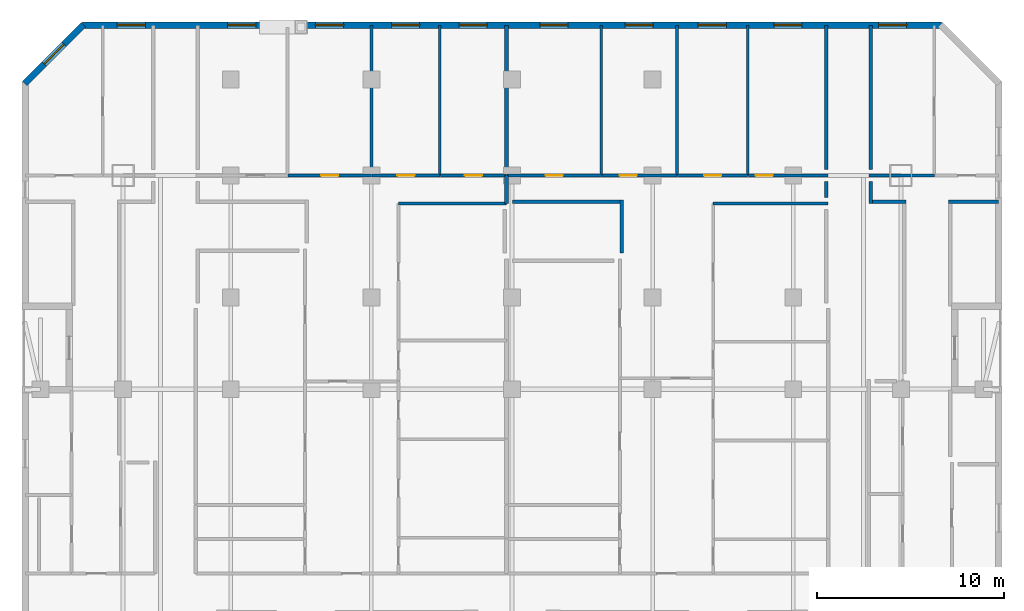
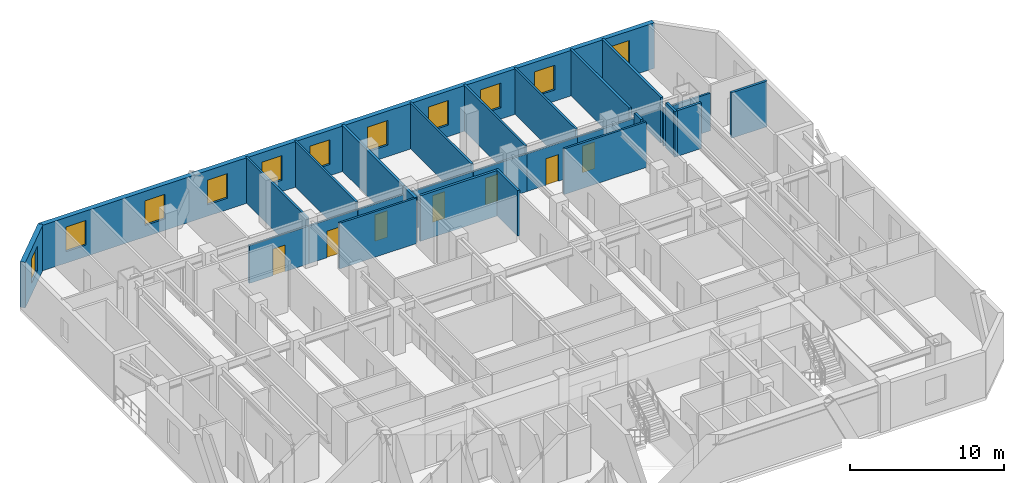
# One storey, part 7 of 10: 27 walls, 11 windows, 7 doors, 18 openings.
"""IFC4 building model written with IfcOpenShell, lengths in metres."""

from ifc_helpers import new_model, si_unit, direction, frame, frame_2d, origin, place, context, subcontext, project, spatial, rectangle, extrude, material, layer, layer_set, type_object, element, fill, save


model = new_model("IFC4")

# Units and contexts
model_context = context("Model", 3, precision=1e-05, world=origin(), true_north=direction((0.0, 1.0)))
body_context = subcontext(model_context, "Body", "Model", "MODEL_VIEW")
ifc_project = project(units=[si_unit("LENGTHUNIT", "METRE"), si_unit("AREAUNIT", "SQUARE_METRE"), si_unit("VOLUMEUNIT", "CUBIC_METRE"), si_unit("PLANEANGLEUNIT", "RADIAN"), si_unit("MASSUNIT", "GRAM", prefix="KILO")], contexts=[model_context])

# Site, building, storey
site_placement = place(None, origin())
site = spatial("IfcSite", under=ifc_project, at=site_placement, CompositionType="ELEMENT")
building_placement = place(site_placement, origin())
building = spatial("IfcBuilding", under=site, at=building_placement, Name="Ventersveld Concourse Tower", CompositionType="ELEMENT")
storey_placement = place(building_placement, frame((0.0, 0.0, 96.449951171875)))
storey = spatial("IfcBuildingStorey", under=building, at=storey_placement, Name="L23", CompositionType="ELEMENT", Elevation=96.449951171875)

# Walls
ifc_material_1 = material(Name="Fire-rated autoclaved aerated masonry blockwork", Category="masonry")
ifc_layer_1 = layer(ifc_material_1, 0.179931640625)
ifc_layer_set_1 = layer_set([ifc_layer_1], Name="Fire-rated autoclaved aerated masonry blockwork")
wall_type_1 = type_object("IfcWallType", Name="WL-CORR-180", PredefinedType="PARTITIONING", material=ifc_layer_set_1)
wall_1_placement = place(storey_placement, frame((49.776611328125, 33.590087890625, 0.0), z_axis=(0.0, 0.0, 1.0), x_axis=(-1.0, 0.0, 0.0)))
element("IfcWall", 1, at=wall_1_placement, inside=storey, type_object=wall_type_1, Name="L23 Room Enclosure Wall SP-L23-23NE-LIV", PredefinedType="PARTITIONING", context=body_context, shape_type="SweptSolid", body=[
    extrude(rectangle(XDim=1.99169921875, YDim=0.179931640625, at=frame_2d((0.995849609375, 0.0))), origin(), (0.0, 0.0, 1.0), 3.60009765625),
])
wall_2_placement = place(storey_placement, frame((47.8798828125, 33.4951171875, 0.0), z_axis=(0.0, 0.0, 1.0), x_axis=(0.0, 1.0, 0.0)))
element("IfcWall", 2, at=wall_2_placement, inside=storey, type_object=wall_type_1, Name="L23 Room Enclosure Wall SP-L23-23NE-LIV", PredefinedType="PARTITIONING", context=body_context, shape_type="SweptSolid", body=[
    extrude(rectangle(XDim=1.179931640625, YDim=0.179931640625, at=frame_2d((0.58984375, 0.0))), origin(), (0.0, 0.0, 1.0), 3.60009765625),
])
wall_3_placement = place(storey_placement, frame((54.68994140625, 33.590087890625, 0.0), z_axis=(0.0, 0.0, 1.0), x_axis=(-1.0, 0.0, 0.0)))
element("IfcWall", 3, at=wall_3_placement, inside=storey, type_object=wall_type_1, Name="L23 Room Enclosure Wall SP-L23-23NE-LIV", PredefinedType="PARTITIONING", context=body_context, shape_type="SweptSolid", body=[
    extrude(rectangle(XDim=2.6572265625, YDim=0.179931640625, at=frame_2d((1.32861328125, 0.0))), origin(), (0.0, 0.0, 1.0), 3.60009765625),
])
wall_4_placement = place(storey_placement, frame((47.8798828125, 35.324951171875, 0.0), z_axis=(0.0, 0.0, 1.0), x_axis=(0.0, 1.0, 0.0)))
element("IfcWall", 4, at=wall_4_placement, inside=storey, type_object=wall_type_1, Name="L23 Room Enclosure Wall SP-L23-23NE-BR1", PredefinedType="PARTITIONING", context=body_context, shape_type="SweptSolid", body=[
    extrude(rectangle(XDim=7.6650390625, YDim=0.179931640625, at=frame_2d((3.83251953125, 0.0))), origin(), (0.0, 0.0, 1.0), 3.60009765625),
])
wall_5_placement = place(storey_placement, frame((34.691162109375, 33.590087890625, 0.0), z_axis=(0.0, 0.0, 1.0), x_axis=(-1.0, 0.0, 0.0)))
element("IfcWall", 5, at=wall_5_placement, inside=storey, type_object=wall_type_1, Name="L23 Room Enclosure Wall SP-L23-23N2-LIV", PredefinedType="PARTITIONING", context=body_context, shape_type="SweptSolid", body=[
    extrude(rectangle(XDim=5.913330078125, YDim=0.179931640625, at=frame_2d((2.95654296875, 0.0))), origin(), (0.0, 0.0, 1.0), 3.60009765625),
])
wall_6_placement = place(storey_placement, frame((45.52001953125, 34.675048828125, 0.0), z_axis=(0.0, 0.0, 1.0), x_axis=(0.0, -1.0, 0.0)))
element("IfcWall", 6, at=wall_6_placement, inside=storey, type_object=wall_type_1, Name="L23 Room Enclosure Wall SP-L23-23N2-LIV", PredefinedType="PARTITIONING", context=body_context, shape_type="SweptSolid", body=[
    extrude(rectangle(XDim=0.85009765625, YDim=0.179931640625, at=frame_2d((0.425048828125, 0.0))), origin(), (0.0, 0.0, 1.0), 3.60009765625),
])
wall_7_placement = place(storey_placement, frame((34.59619140625, 30.8701171875, 0.0), z_axis=(0.0, 0.0, 1.0), x_axis=(0.0, 1.0, 0.0)))
element("IfcWall", 7, at=wall_7_placement, inside=storey, type_object=wall_type_1, Name="L23 Room Enclosure Wall SP-L23-23N2-LIV", PredefinedType="PARTITIONING", context=body_context, shape_type="SweptSolid", body=[
    extrude(rectangle(XDim=2.81494140625, YDim=0.179931640625, at=frame_2d((1.407470703125, 0.0))), origin(), (0.0, 0.0, 1.0), 3.60009765625),
])
wall_8_placement = place(storey_placement, frame((45.52001953125, 42.989990234375, 0.0), z_axis=(0.0, 0.0, 1.0), x_axis=(0.0, -1.0, 0.0)))
element("IfcWall", 8, at=wall_8_placement, inside=storey, type_object=wall_type_1, Name="L23 Room Enclosure Wall SP-L23-23N2-BR4", PredefinedType="PARTITIONING", context=body_context, shape_type="SweptSolid", body=[
    extrude(rectangle(XDim=7.6650390625, YDim=0.179931640625, at=frame_2d((3.83251953125, 0.0))), origin(), (0.0, 0.0, 1.0), 3.60009765625),
])
ifc_layer_2 = layer(ifc_material_1, 0.199951171875)
ifc_layer_set_2 = layer_set([ifc_layer_2], Name="Fire-rated autoclaved aerated masonry blockwork")
wall_type_2 = type_object("IfcWallType", Name="WL-DEMISE-200", PredefinedType="PARTITIONING", material=ifc_layer_set_2)
wall_9_placement = place(storey_placement, frame((28.452880859375, 33.4951171875, 0.0), z_axis=(0.0, 0.0, 1.0), x_axis=(0.0, 1.0, 0.0)))
element("IfcWall", 9, at=wall_9_placement, inside=storey, type_object=wall_type_2, Name="L23 Interior Partition SP-L23-23N1-LIV-SP-L23-23N2-LIV", PredefinedType="PARTITIONING", context=body_context, shape_type="SweptSolid", body=[
    extrude(rectangle(XDim=1.509765625, YDim=0.199951171875, at=frame_2d((0.7548828125, 0.0))), origin(), (0.0, 0.0, 1.0), 3.60009765625),
])
wall_10_placement = place(storey_placement, frame((28.452880859375, 35.034912109375, 0.0), z_axis=(0.0, 0.0, 1.0), x_axis=(0.0, 1.0, 0.0)))
element("IfcWall", 10, at=wall_10_placement, inside=storey, type_object=wall_type_2, Name="L23 Interior Partition SP-L23-23N1-BR4-SP-L23-23N2-BR1", PredefinedType="PARTITIONING", context=body_context, shape_type="SweptSolid", body=[
    extrude(rectangle(XDim=7.955078125, YDim=0.199951171875, at=frame_2d((3.9775390625, 0.0))), origin(), (0.0, 0.0, 1.0), 3.60009765625),
])
ifc_material_2 = material(Name="Autoclaved aerated masonry blockwork", Category="masonry")
ifc_layer_3 = layer(ifc_material_2, 0.14990234375)
ifc_layer_set_3 = layer_set([ifc_layer_3], Name="Autoclaved aerated masonry blockwork")
wall_type_3 = type_object("IfcWallType", Name="WL-INT-150", PredefinedType="PARTITIONING", material=ifc_layer_set_3)
wall_11_placement = place(storey_placement, frame((47.784912109375, 35.0, 0.0), z_axis=(0.0, 0.0, 1.0), x_axis=(1.0, 0.0, 0.0)))
element("IfcWall", 11, at=wall_11_placement, inside=storey, type_object=wall_type_3, Name="L23 Interior Partition SP-L23-23NE-LIV-SP-L23-23NE-BR1", PredefinedType="PARTITIONING", context=body_context, shape_type="SweptSolid", body=[
    extrude(rectangle(XDim=3.498291015625, YDim=0.14990234375, at=frame_2d((1.7490234375, 0.0))), origin(), (0.0, 0.0, 1.0), 2.98291015625),
])
wall_12_placement = place(storey_placement, frame((22.6904296875, 33.5, 0.0), z_axis=(0.0, 0.0, 1.0), x_axis=(1.0, 0.0, 0.0)))
element("IfcWall", 12, at=wall_12_placement, inside=storey, type_object=wall_type_3, Name="L23 Interior Partition SP-L23-23N1-LIV-SP-L23-23N1-DENS2", PredefinedType="PARTITIONING", context=body_context, shape_type="SweptSolid", body=[
    extrude(rectangle(XDim=5.767578125, YDim=0.14990234375, at=frame_2d((2.8837890625, 0.0))), origin(), (0.0, 0.0, 1.0), 3.60009765625),
])

# Wall, opening, door
wall_13_placement = place(storey_placement, frame((16.808349609375, 35.0, 0.0), z_axis=(0.0, 0.0, 1.0), x_axis=(1.0, 0.0, 0.0)))
wall_13 = element("IfcWall", 13, at=wall_13_placement, inside=storey, type_object=wall_type_3, Name="L23 Interior Partition SP-L23-23N1-LIV-SP-L23-23N1-BR2", PredefinedType="PARTITIONING", context=body_context, shape_type="SweptSolid", body=[
    extrude(rectangle(XDim=4.446533203125, YDim=0.14990234375, at=frame_2d((2.22314453125, 0.0))), origin(), (0.0, 0.0, 1.0), 2.98291015625),
])
opening_1_placement = place(wall_13_placement, frame((1.76318359375, 0.0, 0.0)))
opening_1 = element("IfcOpeningElement", 14, at=opening_1_placement, cuts=wall_13, Name="Opening ID1", PredefinedType="OPENING", context=body_context, shape_type="SweptSolid", body=[
    extrude(rectangle(XDim=0.919921875, YDim=2.10009765625, at=frame_2d((0.4599609375, 1.050048828125))), frame((0.0, 0.0849609375, 0.0), z_axis=(0.0, -1.0, 0.0), x_axis=(1.0, 0.0, 0.0)), (0.0, 0.0, 1.0), 0.169921875),
])
ifc_material_3 = material(Name="Solid-core hardwood veneer timber", Category="wood")
door_type = type_object("IfcDoorType", Name="DR-ROOM-092", OperationType="NOTDEFINED", PredefinedType="DOOR", material=ifc_material_3)
door_1_placement = place(opening_1_placement, origin())
door_1 = element("IfcDoor", 15, at=door_1_placement, inside=storey, type_object=door_type, Name="L23 Interior Door SP-L23-23N1-LIV to SP-L23-23N1-BR2 (D-L23-1143)", OperationType="SINGLE_SWING_LEFT", OverallHeight=2.10009765625, OverallWidth=0.919921875, PredefinedType="DOOR", context=body_context, shape_type="SweptSolid", body=[
    extrude(rectangle(XDim=0.919921875, YDim=2.10009765625, at=frame_2d((0.4599609375, 1.050048828125))), frame((0.0, 0.02490234375, 0.0), z_axis=(0.0, -1.0, 0.0), x_axis=(1.0, 0.0, 0.0)), (0.0, 0.0, 1.0), 0.050048828125),
])
fill(opening_1, door_1)

wall_14_placement = place(storey_placement, frame((21.284912109375, 35.0, 0.0), z_axis=(0.0, 0.0, 1.0), x_axis=(1.0, 0.0, 0.0)))
wall_14 = element("IfcWall", 16, at=wall_14_placement, inside=storey, type_object=wall_type_3, Name="L23 Interior Partition SP-L23-23N1-LIV-SP-L23-23N1-BR3", PredefinedType="PARTITIONING", context=body_context, shape_type="SweptSolid", body=[
    extrude(rectangle(XDim=3.61572265625, YDim=0.14990234375, at=frame_2d((1.807861328125, 0.0))), origin(), (0.0, 0.0, 1.0), 2.98291015625),
])
opening_2_placement = place(wall_14_placement, frame((1.347900390625, 0.0, 0.0)))
opening_2 = element("IfcOpeningElement", 17, at=opening_2_placement, cuts=wall_14, Name="Opening ID1", PredefinedType="OPENING", context=body_context, shape_type="SweptSolid", body=[
    extrude(rectangle(XDim=0.919921875, YDim=2.10009765625, at=frame_2d((0.4599609375, 1.050048828125))), frame((0.0, 0.0849609375, 0.0), z_axis=(0.0, -1.0, 0.0), x_axis=(1.0, 0.0, 0.0)), (0.0, 0.0, 1.0), 0.169921875),
])
door_2_placement = place(opening_2_placement, origin())
door_2 = element("IfcDoor", 18, at=door_2_placement, inside=storey, type_object=door_type, Name="L23 Interior Door SP-L23-23N1-LIV to SP-L23-23N1-BR3 (D-L23-1144)", OperationType="SINGLE_SWING_RIGHT", OverallHeight=2.10009765625, OverallWidth=0.919921875, PredefinedType="DOOR", context=body_context, shape_type="SweptSolid", body=[
    extrude(rectangle(XDim=0.919921875, YDim=2.10009765625, at=frame_2d((0.4599609375, 1.050048828125))), frame((0.0, 0.02490234375, 0.0), z_axis=(0.0, -1.0, 0.0), x_axis=(1.0, 0.0, 0.0)), (0.0, 0.0, 1.0), 0.050048828125),
])
fill(opening_2, door_2)

wall_15_placement = place(storey_placement, frame((24.9306640625, 35.0, 0.0), z_axis=(0.0, 0.0, 1.0), x_axis=(1.0, 0.0, 0.0)))
wall_15 = element("IfcWall", 19, at=wall_15_placement, inside=storey, type_object=wall_type_3, Name="L23 Interior Partition SP-L23-23N1-LIV-SP-L23-23N1-BR4", PredefinedType="PARTITIONING", context=body_context, shape_type="SweptSolid", body=[
    extrude(rectangle(XDim=3.52734375, YDim=0.14990234375, at=frame_2d((1.763671875, 0.0))), origin(), (0.0, 0.0, 1.0), 2.98291015625),
])
opening_3_placement = place(wall_15_placement, frame((1.3037109375, 0.0, 0.0)))
opening_3 = element("IfcOpeningElement", 20, at=opening_3_placement, cuts=wall_15, Name="Opening ID1", PredefinedType="OPENING", context=body_context, shape_type="SweptSolid", body=[
    extrude(rectangle(XDim=0.919921875, YDim=2.10009765625, at=frame_2d((0.4599609375, 1.050048828125))), frame((0.0, 0.0849609375, 0.0), z_axis=(0.0, -1.0, 0.0), x_axis=(1.0, 0.0, 0.0)), (0.0, 0.0, 1.0), 0.169921875),
])
door_3_placement = place(opening_3_placement, origin())
door_3 = element("IfcDoor", 21, at=door_3_placement, inside=storey, type_object=door_type, Name="L23 Interior Door SP-L23-23N1-LIV to SP-L23-23N1-BR4 (D-L23-1145)", OperationType="SINGLE_SWING_LEFT", OverallHeight=2.10009765625, OverallWidth=0.919921875, PredefinedType="DOOR", context=body_context, shape_type="SweptSolid", body=[
    extrude(rectangle(XDim=0.919921875, YDim=2.10009765625, at=frame_2d((0.4599609375, 1.050048828125))), frame((0.0, 0.02490234375, 0.0), z_axis=(0.0, -1.0, 0.0), x_axis=(1.0, 0.0, 0.0)), (0.0, 0.0, 1.0), 0.050048828125),
])
fill(opening_3, door_3)

# Walls
for number, where, z_axis, x_axis, name in (
    (22, (21.25, 34.9951171875, 0.0), (0.0, 0.0, 1.0), (0.0, 1.0, 0.0), "L23 Interior Partition SP-L23-23N1-BR2-SP-L23-23N1-BR3"),
    (23, (24.8955078125, 34.9951171875, 0.0), (0.0, 0.0, 1.0), (0.0, 1.0, 0.0), "L23 Interior Partition SP-L23-23N1-BR3-SP-L23-23N1-BR4"),
):
    element("IfcWall", number, at=place(storey_placement, frame(where, z_axis=z_axis, x_axis=x_axis)), inside=storey, type_object=wall_type_3, Name=name, PredefinedType="PARTITIONING", context=body_context, shape_type="SweptSolid", body=[
        extrude(rectangle(XDim=7.994873046875, YDim=0.14990234375, at=frame_2d((3.99755859375, 0.0))), origin(), (0.0, 0.0, 1.0), 3.60009765625),
    ])
wall_16_placement = place(storey_placement, frame((39.481201171875, 33.5, 0.0), z_axis=(0.0, 0.0, 1.0), x_axis=(1.0, 0.0, 0.0)))
element("IfcWall", 24, at=wall_16_placement, inside=storey, type_object=wall_type_3, Name="L23 Interior Partition SP-L23-23N2-LIV-SP-L23-23N2-DENS2", PredefinedType="PARTITIONING", context=body_context, shape_type="SweptSolid", body=[
    extrude(rectangle(XDim=6.1337890625, YDim=0.14990234375, at=frame_2d((3.06689453125, 0.0))), origin(), (0.0, 0.0, 1.0), 3.60009765625),
])

# Wall, opening, door
wall_17_placement = place(storey_placement, frame((28.48779296875, 35.0, 0.0), z_axis=(0.0, 0.0, 1.0), x_axis=(1.0, 0.0, 0.0)))
wall_17 = element("IfcWall", 25, at=wall_17_placement, inside=storey, type_object=wall_type_3, Name="L23 Interior Partition SP-L23-23N2-LIV-SP-L23-23N2-BR1", PredefinedType="PARTITIONING", context=body_context, shape_type="SweptSolid", body=[
    extrude(rectangle(XDim=5.02978515625, YDim=0.14990234375, at=frame_2d((2.514892578125, 0.0))), origin(), (0.0, 0.0, 1.0), 2.98291015625),
])
opening_4_placement = place(wall_17_placement, frame((2.054931640625, 0.0, 0.0)))
opening_4 = element("IfcOpeningElement", 26, at=opening_4_placement, cuts=wall_17, Name="Opening ID1", PredefinedType="OPENING", context=body_context, shape_type="SweptSolid", body=[
    extrude(rectangle(XDim=0.919921875, YDim=2.10009765625, at=frame_2d((0.4599609375, 1.050048828125))), frame((0.0, 0.0849609375, 0.0), z_axis=(0.0, -1.0, 0.0), x_axis=(1.0, 0.0, 0.0)), (0.0, 0.0, 1.0), 0.169921875),
])
door_4_placement = place(opening_4_placement, origin())
door_4 = element("IfcDoor", 27, at=door_4_placement, inside=storey, type_object=door_type, Name="L23 Interior Door SP-L23-23N2-LIV to SP-L23-23N2-BR1 (D-L23-1156)", OperationType="SINGLE_SWING_RIGHT", OverallHeight=2.10009765625, OverallWidth=0.919921875, PredefinedType="DOOR", context=body_context, shape_type="SweptSolid", body=[
    extrude(rectangle(XDim=0.919921875, YDim=2.10009765625, at=frame_2d((0.4599609375, 1.050048828125))), frame((0.0, 0.02490234375, 0.0), z_axis=(0.0, -1.0, 0.0), x_axis=(1.0, 0.0, 0.0)), (0.0, 0.0, 1.0), 0.050048828125),
])
fill(opening_4, door_4)

wall_18_placement = place(storey_placement, frame((33.547607421875, 35.0, 0.0), z_axis=(0.0, 0.0, 1.0), x_axis=(1.0, 0.0, 0.0)))
wall_18 = element("IfcWall", 28, at=wall_18_placement, inside=storey, type_object=wall_type_3, Name="L23 Interior Partition SP-L23-23N2-LIV-SP-L23-23N2-BR2", PredefinedType="PARTITIONING", context=body_context, shape_type="SweptSolid", body=[
    extrude(rectangle(XDim=4.00244140625, YDim=0.14990234375, at=frame_2d((2.001220703125, 0.0))), origin(), (0.0, 0.0, 1.0), 2.98291015625),
])
opening_5_placement = place(wall_18_placement, frame((0.94091796875, 0.0, 0.0)))
opening_5 = element("IfcOpeningElement", 29, at=opening_5_placement, cuts=wall_18, Name="Opening ID1", PredefinedType="OPENING", context=body_context, shape_type="SweptSolid", body=[
    extrude(rectangle(XDim=0.919921875, YDim=2.10009765625, at=frame_2d((0.4599609375, 1.050048828125))), frame((0.0, 0.0849609375, 0.0), z_axis=(0.0, -1.0, 0.0), x_axis=(1.0, 0.0, 0.0)), (0.0, 0.0, 1.0), 0.169921875),
])
door_5_placement = place(opening_5_placement, origin())
door_5 = element("IfcDoor", 30, at=door_5_placement, inside=storey, type_object=door_type, Name="L23 Interior Door SP-L23-23N2-LIV to SP-L23-23N2-BR2 (D-L23-1157)", OperationType="SINGLE_SWING_LEFT", OverallHeight=2.10009765625, OverallWidth=0.919921875, PredefinedType="DOOR", context=body_context, shape_type="SweptSolid", body=[
    extrude(rectangle(XDim=0.919921875, YDim=2.10009765625, at=frame_2d((0.4599609375, 1.050048828125))), frame((0.0, 0.02490234375, 0.0), z_axis=(0.0, -1.0, 0.0), x_axis=(1.0, 0.0, 0.0)), (0.0, 0.0, 1.0), 0.050048828125),
])
fill(opening_5, door_5)

wall_19_placement = place(storey_placement, frame((37.580078125, 35.0, 0.0), z_axis=(0.0, 0.0, 1.0), x_axis=(1.0, 0.0, 0.0)))
wall_19 = element("IfcWall", 31, at=wall_19_placement, inside=storey, type_object=wall_type_3, Name="L23 Interior Partition SP-L23-23N2-LIV-SP-L23-23N2-BR3", PredefinedType="PARTITIONING", context=body_context, shape_type="SweptSolid", body=[
    extrude(rectangle(XDim=3.74560546875, YDim=0.14990234375, at=frame_2d((1.872802734375, 0.0))), origin(), (0.0, 0.0, 1.0), 2.98291015625),
])
opening_6_placement = place(wall_19_placement, frame((1.412841796875, 0.0, 0.0)))
opening_6 = element("IfcOpeningElement", 32, at=opening_6_placement, cuts=wall_19, Name="Opening ID1", PredefinedType="OPENING", context=body_context, shape_type="SweptSolid", body=[
    extrude(rectangle(XDim=0.919921875, YDim=2.10009765625, at=frame_2d((0.4599609375, 1.050048828125))), frame((0.0, 0.0849609375, 0.0), z_axis=(0.0, -1.0, 0.0), x_axis=(1.0, 0.0, 0.0)), (0.0, 0.0, 1.0), 0.169921875),
])
door_6_placement = place(opening_6_placement, origin())
door_6 = element("IfcDoor", 33, at=door_6_placement, inside=storey, type_object=door_type, Name="L23 Interior Door SP-L23-23N2-LIV to SP-L23-23N2-BR3 (D-L23-1158)", OperationType="SINGLE_SWING_RIGHT", OverallHeight=2.10009765625, OverallWidth=0.919921875, PredefinedType="DOOR", context=body_context, shape_type="SweptSolid", body=[
    extrude(rectangle(XDim=0.919921875, YDim=2.10009765625, at=frame_2d((0.4599609375, 1.050048828125))), frame((0.0, 0.02490234375, 0.0), z_axis=(0.0, -1.0, 0.0), x_axis=(1.0, 0.0, 0.0)), (0.0, 0.0, 1.0), 0.050048828125),
])
fill(opening_6, door_6)

wall_20_placement = place(storey_placement, frame((41.355712890625, 35.0, 0.0), z_axis=(0.0, 0.0, 1.0), x_axis=(1.0, 0.0, 0.0)))
wall_20 = element("IfcWall", 34, at=wall_20_placement, inside=storey, type_object=wall_type_3, Name="L23 Interior Partition SP-L23-23N2-LIV-SP-L23-23N2-BR4", PredefinedType="PARTITIONING", context=body_context, shape_type="SweptSolid", body=[
    extrude(rectangle(XDim=4.25927734375, YDim=0.14990234375, at=frame_2d((2.129638671875, 0.0))), origin(), (0.0, 0.0, 1.0), 2.98291015625),
])
opening_7_placement = place(wall_20_placement, frame((0.391845703125, 0.0, 0.0)))
opening_7 = element("IfcOpeningElement", 35, at=opening_7_placement, cuts=wall_20, Name="Opening ID1", PredefinedType="OPENING", context=body_context, shape_type="SweptSolid", body=[
    extrude(rectangle(XDim=0.919921875, YDim=2.10009765625, at=frame_2d((0.4599609375, 1.050048828125))), frame((0.0, 0.0849609375, 0.0), z_axis=(0.0, -1.0, 0.0), x_axis=(1.0, 0.0, 0.0)), (0.0, 0.0, 1.0), 0.169921875),
])
door_7_placement = place(opening_7_placement, origin())
door_7 = element("IfcDoor", 36, at=door_7_placement, inside=storey, type_object=door_type, Name="L23 Interior Door SP-L23-23N2-LIV to SP-L23-23N2-BR4 (D-L23-1159)", OperationType="SINGLE_SWING_LEFT", OverallHeight=2.10009765625, OverallWidth=0.919921875, PredefinedType="DOOR", context=body_context, shape_type="SweptSolid", body=[
    extrude(rectangle(XDim=0.919921875, YDim=2.10009765625, at=frame_2d((0.4599609375, 1.050048828125))), frame((0.0, 0.02490234375, 0.0), z_axis=(0.0, -1.0, 0.0), x_axis=(1.0, 0.0, 0.0)), (0.0, 0.0, 1.0), 0.050048828125),
])
fill(opening_7, door_7)

# Walls
for number, where, z_axis, x_axis, name in (
    (37, (33.5126953125, 34.9951171875, 0.0), (0.0, 0.0, 1.0), (0.0, 1.0, 0.0), "L23 Interior Partition SP-L23-23N2-BR1-SP-L23-23N2-BR2"),
    (38, (37.545166015625, 34.9951171875, 0.0), (0.0, 0.0, 1.0), (0.0, 1.0, 0.0), "L23 Interior Partition SP-L23-23N2-BR2-SP-L23-23N2-BR3"),
    (39, (41.32080078125, 34.9951171875, 0.0), (0.0, 0.0, 1.0), (0.0, 1.0, 0.0), "L23 Interior Partition SP-L23-23N2-BR3-SP-L23-23N2-BR4"),
):
    element("IfcWall", number, at=place(storey_placement, frame(where, z_axis=z_axis, x_axis=x_axis)), inside=storey, type_object=wall_type_3, Name=name, PredefinedType="PARTITIONING", context=body_context, shape_type="SweptSolid", body=[
        extrude(rectangle(XDim=7.994873046875, YDim=0.14990234375, at=frame_2d((3.99755859375, 0.0))), origin(), (0.0, 0.0, 1.0), 3.60009765625),
    ])

# Wall, openings, windows
ifc_material_4 = material(Name="Precast concrete C45/55", Category="concrete")
ifc_layer_4 = layer(ifc_material_4, 0.35009765625)
ifc_layer_set_4 = layer_set([ifc_layer_4], Name="Precast concrete C45/55")
wall_type_4 = type_object("IfcWallType", Name="WL-PREC-350", PredefinedType="SOLIDWALL", material=ifc_layer_set_4)
wall_21_placement = place(storey_placement, frame((51.659912109375, 43.02490234375, 0.0), z_axis=(0.0, 0.0, 1.0), x_axis=(-1.0, 0.0, 0.0)))
wall_21 = element("IfcWall", 40, at=wall_21_placement, inside=storey, type_object=wall_type_4, Name="L23 Highveld Precast Facade Wall E09", PredefinedType="SOLIDWALL", context=body_context, shape_type="SweptSolid", body=[
    extrude(rectangle(XDim=45.81982421875, YDim=0.35009765625, at=frame_2d((22.909912109375, 0.0))), origin(), (0.0, 0.0, 1.0), 3.60009765625),
])
opening_8_placement = place(wall_21_placement, frame((42.467529296875, 0.0, 0.89990234375)))
opening_8 = element("IfcOpeningElement", 41, at=opening_8_placement, cuts=wall_21, Name="Opening W1", PredefinedType="OPENING", context=body_context, shape_type="SweptSolid", body=[
    extrude(rectangle(XDim=1.5, YDim=1.949951171875, at=frame_2d((0.75, 0.97509765625))), frame((0.0, 0.18505859375, 0.0), z_axis=(0.0, -1.0, 0.0), x_axis=(1.0, 0.0, 0.0)), (0.0, 0.0, 1.0), 0.3701171875),
])
opening_9_placement = place(wall_21_placement, frame((1.8525390625, 0.0, 0.89990234375)))
opening_9 = element("IfcOpeningElement", 42, at=opening_9_placement, cuts=wall_21, Name="Opening W1", PredefinedType="OPENING", context=body_context, shape_type="SweptSolid", body=[
    extrude(rectangle(XDim=1.5, YDim=1.949951171875, at=frame_2d((0.75, 0.97509765625))), frame((0.0, 0.18505859375, 0.0), z_axis=(0.0, -1.0, 0.0), x_axis=(1.0, 0.0, 0.0)), (0.0, 0.0, 1.0), 0.3701171875),
])
opening_10_placement = place(wall_21_placement, frame((36.578369140625, 0.0, 0.89990234375)))
opening_10 = element("IfcOpeningElement", 43, at=opening_10_placement, cuts=wall_21, Name="Opening W1", PredefinedType="OPENING", context=body_context, shape_type="SweptSolid", body=[
    extrude(rectangle(XDim=1.5, YDim=1.949951171875, at=frame_2d((0.75, 0.97509765625))), frame((0.0, 0.18505859375, 0.0), z_axis=(0.0, -1.0, 0.0), x_axis=(1.0, 0.0, 0.0)), (0.0, 0.0, 1.0), 0.3701171875),
])
opening_11_placement = place(wall_21_placement, frame((31.898193359375, 0.0, 0.89990234375)))
opening_11 = element("IfcOpeningElement", 44, at=opening_11_placement, cuts=wall_21, Name="Opening W1", PredefinedType="OPENING", context=body_context, shape_type="SweptSolid", body=[
    extrude(rectangle(XDim=1.5, YDim=1.949951171875, at=frame_2d((0.75, 0.97509765625))), frame((0.0, 0.18505859375, 0.0), z_axis=(0.0, -1.0, 0.0), x_axis=(1.0, 0.0, 0.0)), (0.0, 0.0, 1.0), 0.3701171875),
])
opening_12_placement = place(wall_21_placement, frame((27.837158203125, 0.0, 0.89990234375)))
opening_12 = element("IfcOpeningElement", 45, at=opening_12_placement, cuts=wall_21, Name="Opening W1", PredefinedType="OPENING", context=body_context, shape_type="SweptSolid", body=[
    extrude(rectangle(XDim=1.5, YDim=1.949951171875, at=frame_2d((0.75, 0.97509765625))), frame((0.0, 0.18505859375, 0.0), z_axis=(0.0, -1.0, 0.0), x_axis=(1.0, 0.0, 0.0)), (0.0, 0.0, 1.0), 0.3701171875),
])
opening_13_placement = place(wall_21_placement, frame((24.235595703125, 0.0, 0.89990234375)))
opening_13 = element("IfcOpeningElement", 46, at=opening_13_placement, cuts=wall_21, Name="Opening W1", PredefinedType="OPENING", context=body_context, shape_type="SweptSolid", body=[
    extrude(rectangle(XDim=1.5, YDim=1.949951171875, at=frame_2d((0.75, 0.97509765625))), frame((0.0, 0.18505859375, 0.0), z_axis=(0.0, -1.0, 0.0), x_axis=(1.0, 0.0, 0.0)), (0.0, 0.0, 1.0), 0.3701171875),
])
opening_14_placement = place(wall_21_placement, frame((19.92724609375, 0.0, 0.89990234375)))
opening_14 = element("IfcOpeningElement", 47, at=opening_14_placement, cuts=wall_21, Name="Opening W1", PredefinedType="OPENING", context=body_context, shape_type="SweptSolid", body=[
    extrude(rectangle(XDim=1.5, YDim=1.949951171875, at=frame_2d((0.75, 0.97509765625))), frame((0.0, 0.18505859375, 0.0), z_axis=(0.0, -1.0, 0.0), x_axis=(1.0, 0.0, 0.0)), (0.0, 0.0, 1.0), 0.3701171875),
])
opening_15_placement = place(wall_21_placement, frame((15.381103515625, 0.0, 0.89990234375)))
opening_15 = element("IfcOpeningElement", 48, at=opening_15_placement, cuts=wall_21, Name="Opening W1", PredefinedType="OPENING", context=body_context, shape_type="SweptSolid", body=[
    extrude(rectangle(XDim=1.5, YDim=1.949951171875, at=frame_2d((0.75, 0.97509765625))), frame((0.0, 0.18505859375, 0.0), z_axis=(0.0, -1.0, 0.0), x_axis=(1.0, 0.0, 0.0)), (0.0, 0.0, 1.0), 0.3701171875),
])
opening_16_placement = place(wall_21_placement, frame((11.47705078125, 0.0, 0.89990234375)))
opening_16 = element("IfcOpeningElement", 49, at=opening_16_placement, cuts=wall_21, Name="Opening W1", PredefinedType="OPENING", context=body_context, shape_type="SweptSolid", body=[
    extrude(rectangle(XDim=1.5, YDim=1.949951171875, at=frame_2d((0.75, 0.97509765625))), frame((0.0, 0.18505859375, 0.0), z_axis=(0.0, -1.0, 0.0), x_axis=(1.0, 0.0, 0.0)), (0.0, 0.0, 1.0), 0.3701171875),
])
opening_17_placement = place(wall_21_placement, frame((7.444580078125, 0.0, 0.89990234375)))
opening_17 = element("IfcOpeningElement", 50, at=opening_17_placement, cuts=wall_21, Name="Opening W1", PredefinedType="OPENING", context=body_context, shape_type="SweptSolid", body=[
    extrude(rectangle(XDim=1.5, YDim=1.949951171875, at=frame_2d((0.75, 0.97509765625))), frame((0.0, 0.18505859375, 0.0), z_axis=(0.0, -1.0, 0.0), x_axis=(1.0, 0.0, 0.0)), (0.0, 0.0, 1.0), 0.3701171875),
])
ifc_material_5 = material(Name="Tempered acoustic Low-E IGU", Category="glass")
window_type = type_object("IfcWindowType", Name="WIN-150x210", PartitioningType="SINGLE_PANEL", PredefinedType="WINDOW", material=ifc_material_5)
window_1_placement = place(opening_8_placement, origin())
window_1 = element("IfcWindow", 51, at=window_1_placement, inside=storey, type_object=window_type, Name="L23 Punched Low-E Window W-0260", OverallHeight=1.949951171875, OverallWidth=1.5, PartitioningType="SINGLE_PANEL", PredefinedType="WINDOW", context=body_context, shape_type="SweptSolid", body=[
    extrude(rectangle(XDim=1.5, YDim=1.949951171875, at=frame_2d((0.75, 0.97509765625))), frame((0.0, 0.030029296875, 0.0), z_axis=(0.0, -1.0, 0.0), x_axis=(1.0, 0.0, 0.0)), (0.0, 0.0, 1.0), 0.06005859375),
])
fill(opening_8, window_1)
window_2_placement = place(opening_9_placement, origin())
window_2 = element("IfcWindow", 52, at=window_2_placement, inside=storey, type_object=window_type, Name="L23 Punched Low-E Window W-0263", OverallHeight=1.949951171875, OverallWidth=1.5, PartitioningType="SINGLE_PANEL", PredefinedType="WINDOW", context=body_context, shape_type="SweptSolid", body=[
    extrude(rectangle(XDim=1.5, YDim=1.949951171875, at=frame_2d((0.75, 0.97509765625))), frame((0.0, 0.030029296875, 0.0), z_axis=(0.0, -1.0, 0.0), x_axis=(1.0, 0.0, 0.0)), (0.0, 0.0, 1.0), 0.06005859375),
])
fill(opening_9, window_2)
window_3_placement = place(opening_10_placement, origin())
window_3 = element("IfcWindow", 53, at=window_3_placement, inside=storey, type_object=window_type, Name="L23 Punched Low-E Window W-0265", OverallHeight=1.949951171875, OverallWidth=1.5, PartitioningType="SINGLE_PANEL", PredefinedType="WINDOW", context=body_context, shape_type="SweptSolid", body=[
    extrude(rectangle(XDim=1.5, YDim=1.949951171875, at=frame_2d((0.75, 0.97509765625))), frame((0.0, 0.030029296875, 0.0), z_axis=(0.0, -1.0, 0.0), x_axis=(1.0, 0.0, 0.0)), (0.0, 0.0, 1.0), 0.06005859375),
])
fill(opening_10, window_3)
window_4_placement = place(opening_11_placement, origin())
window_4 = element("IfcWindow", 54, at=window_4_placement, inside=storey, type_object=window_type, Name="L23 Punched Low-E Window W-0266", OverallHeight=1.949951171875, OverallWidth=1.5, PartitioningType="SINGLE_PANEL", PredefinedType="WINDOW", context=body_context, shape_type="SweptSolid", body=[
    extrude(rectangle(XDim=1.5, YDim=1.949951171875, at=frame_2d((0.75, 0.97509765625))), frame((0.0, 0.030029296875, 0.0), z_axis=(0.0, -1.0, 0.0), x_axis=(1.0, 0.0, 0.0)), (0.0, 0.0, 1.0), 0.06005859375),
])
fill(opening_11, window_4)
window_5_placement = place(opening_12_placement, origin())
window_5 = element("IfcWindow", 55, at=window_5_placement, inside=storey, type_object=window_type, Name="L23 Punched Low-E Window W-0267", OverallHeight=1.949951171875, OverallWidth=1.5, PartitioningType="SINGLE_PANEL", PredefinedType="WINDOW", context=body_context, shape_type="SweptSolid", body=[
    extrude(rectangle(XDim=1.5, YDim=1.949951171875, at=frame_2d((0.75, 0.97509765625))), frame((0.0, 0.030029296875, 0.0), z_axis=(0.0, -1.0, 0.0), x_axis=(1.0, 0.0, 0.0)), (0.0, 0.0, 1.0), 0.06005859375),
])
fill(opening_12, window_5)
window_6_placement = place(opening_13_placement, origin())
window_6 = element("IfcWindow", 56, at=window_6_placement, inside=storey, type_object=window_type, Name="L23 Punched Low-E Window W-0268", OverallHeight=1.949951171875, OverallWidth=1.5, PartitioningType="SINGLE_PANEL", PredefinedType="WINDOW", context=body_context, shape_type="SweptSolid", body=[
    extrude(rectangle(XDim=1.5, YDim=1.949951171875, at=frame_2d((0.75, 0.97509765625))), frame((0.0, 0.030029296875, 0.0), z_axis=(0.0, -1.0, 0.0), x_axis=(1.0, 0.0, 0.0)), (0.0, 0.0, 1.0), 0.06005859375),
])
fill(opening_13, window_6)
window_7_placement = place(opening_14_placement, origin())
window_7 = element("IfcWindow", 57, at=window_7_placement, inside=storey, type_object=window_type, Name="L23 Punched Low-E Window W-0269", OverallHeight=1.949951171875, OverallWidth=1.5, PartitioningType="SINGLE_PANEL", PredefinedType="WINDOW", context=body_context, shape_type="SweptSolid", body=[
    extrude(rectangle(XDim=1.5, YDim=1.949951171875, at=frame_2d((0.75, 0.97509765625))), frame((0.0, 0.030029296875, 0.0), z_axis=(0.0, -1.0, 0.0), x_axis=(1.0, 0.0, 0.0)), (0.0, 0.0, 1.0), 0.06005859375),
])
fill(opening_14, window_7)
window_8_placement = place(opening_15_placement, origin())
window_8 = element("IfcWindow", 58, at=window_8_placement, inside=storey, type_object=window_type, Name="L23 Punched Low-E Window W-0270", OverallHeight=1.949951171875, OverallWidth=1.5, PartitioningType="SINGLE_PANEL", PredefinedType="WINDOW", context=body_context, shape_type="SweptSolid", body=[
    extrude(rectangle(XDim=1.5, YDim=1.949951171875, at=frame_2d((0.75, 0.97509765625))), frame((0.0, 0.030029296875, 0.0), z_axis=(0.0, -1.0, 0.0), x_axis=(1.0, 0.0, 0.0)), (0.0, 0.0, 1.0), 0.06005859375),
])
fill(opening_15, window_8)
window_9_placement = place(opening_16_placement, origin())
window_9 = element("IfcWindow", 59, at=window_9_placement, inside=storey, type_object=window_type, Name="L23 Punched Low-E Window W-0271", OverallHeight=1.949951171875, OverallWidth=1.5, PartitioningType="SINGLE_PANEL", PredefinedType="WINDOW", context=body_context, shape_type="SweptSolid", body=[
    extrude(rectangle(XDim=1.5, YDim=1.949951171875, at=frame_2d((0.75, 0.97509765625))), frame((0.0, 0.030029296875, 0.0), z_axis=(0.0, -1.0, 0.0), x_axis=(1.0, 0.0, 0.0)), (0.0, 0.0, 1.0), 0.06005859375),
])
fill(opening_16, window_9)
window_10_placement = place(opening_17_placement, origin())
window_10 = element("IfcWindow", 60, at=window_10_placement, inside=storey, type_object=window_type, Name="L23 Punched Low-E Window W-0272", OverallHeight=1.949951171875, OverallWidth=1.5, PartitioningType="SINGLE_PANEL", PredefinedType="WINDOW", context=body_context, shape_type="SweptSolid", body=[
    extrude(rectangle(XDim=1.5, YDim=1.949951171875, at=frame_2d((0.75, 0.97509765625))), frame((0.0, 0.030029296875, 0.0), z_axis=(0.0, -1.0, 0.0), x_axis=(1.0, 0.0, 0.0)), (0.0, 0.0, 1.0), 0.06005859375),
])
fill(opening_17, window_10)

# Wall, opening, window
wall_22_placement = place(storey_placement, frame((5.8955078125, 43.048095703125, 0.0), z_axis=(0.0, 0.0, 1.0), x_axis=(-0.707106781187, -0.707106781187, 0.0)))
wall_22 = element("IfcWall", 61, at=wall_22_placement, inside=storey, type_object=wall_type_4, Name="L23 Highveld Precast Facade Wall E10", PredefinedType="SOLIDWALL", context=body_context, shape_type="SweptSolid", body=[
    extrude(rectangle(XDim=4.445556640625, YDim=0.35009765625, at=frame_2d((2.22265625, 0.0))), origin(), (0.0, 0.0, 1.0), 3.60009765625),
])
opening_18_placement = place(wall_22_placement, frame((1.47265625, 0.0, 0.89990234375)))
opening_18 = element("IfcOpeningElement", 62, at=opening_18_placement, cuts=wall_22, Name="Opening W1", PredefinedType="OPENING", context=body_context, shape_type="SweptSolid", body=[
    extrude(rectangle(XDim=1.5, YDim=1.949951171875, at=frame_2d((0.75, 0.97509765625))), frame((0.0, 0.18505859375, 0.0), z_axis=(0.0, -1.0, 0.0), x_axis=(1.0, 0.0, 0.0)), (0.0, 0.0, 1.0), 0.3701171875),
])
window_11_placement = place(opening_18_placement, origin())
window_11 = element("IfcWindow", 63, at=window_11_placement, inside=storey, type_object=window_type, Name="L23 Punched Low-E Window W-0259", OverallHeight=1.949951171875, OverallWidth=1.5, PartitioningType="SINGLE_PANEL", PredefinedType="WINDOW", context=body_context, shape_type="SweptSolid", body=[
    extrude(rectangle(XDim=1.5, YDim=1.949951171875, at=frame_2d((0.75, 0.97509765625))), frame((0.0, 0.030029296875, 0.0), z_axis=(0.0, -1.0, 0.0), x_axis=(1.0, 0.0, 0.0)), (0.0, 0.0, 1.0), 0.06005859375),
])
fill(opening_18, window_11)

save(model, "model.ifc")
